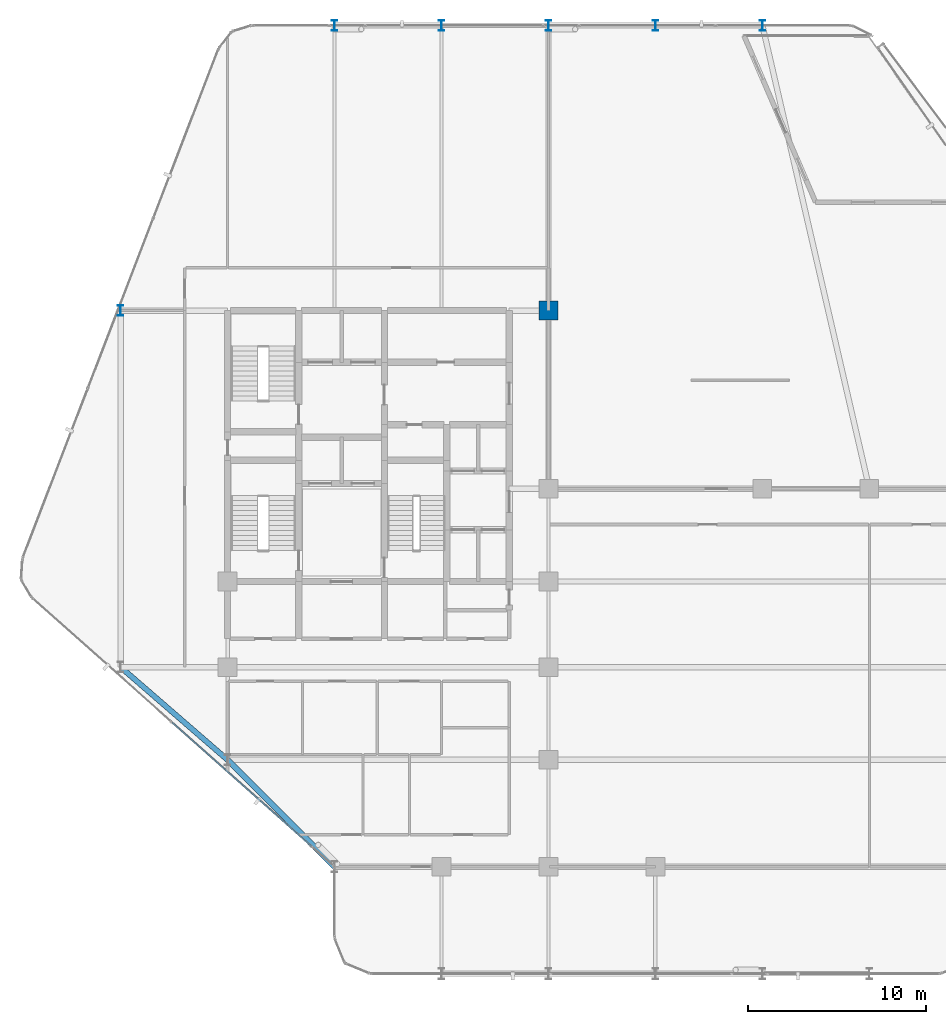
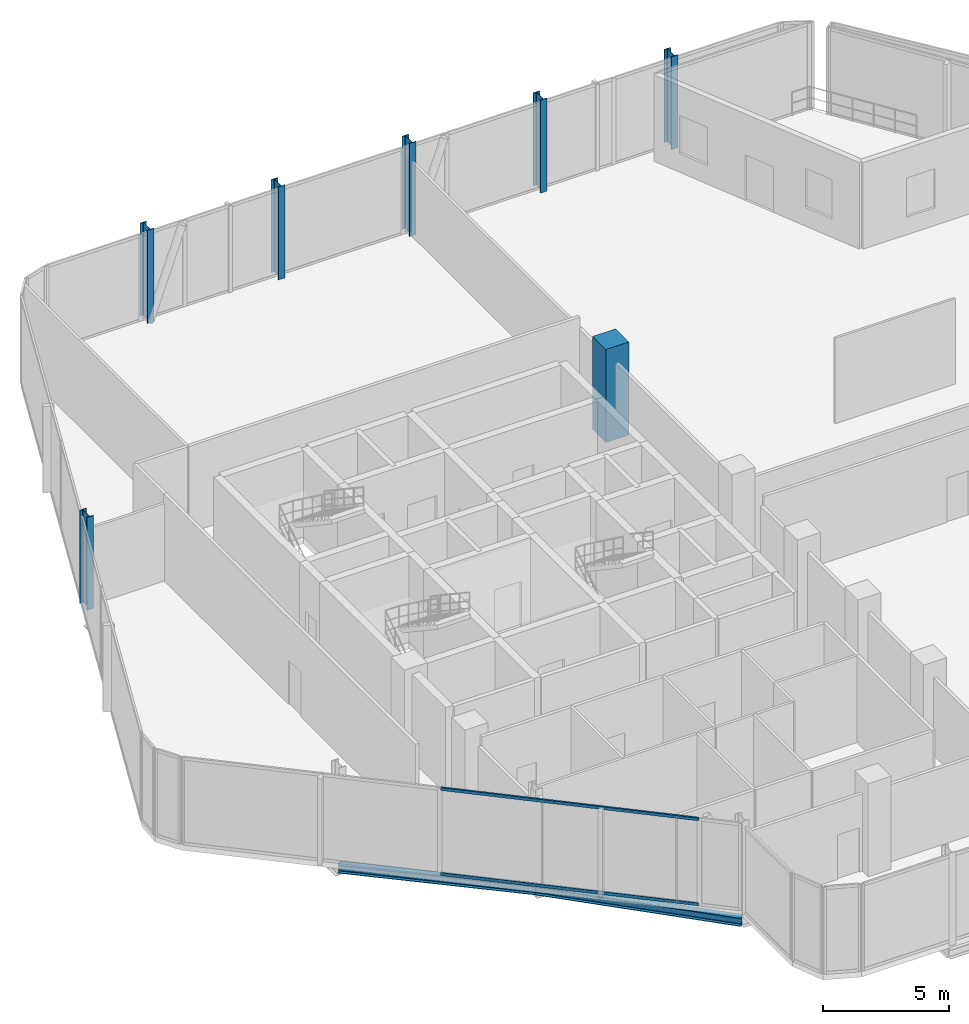
# One storey, part 2 of 31: 7 columns, 2 beams, 2 members, 1 element without a shape of its own.
"""IFC4 building model written with IfcOpenShell, lengths in metres."""

from ifc_helpers import new_model, si_unit, direction, frame, origin, origin_2d, place, context, subcontext, project, spatial, rectangle, hollow_rectangle, i_section, extrude, material, layer, layer_set, material_profile, profile_set, type_object, element, aggregate, save


model = new_model("IFC4")

# Units and contexts
model_context = context("Model", 3, precision=1e-05, world=origin(), true_north=direction((0.0, 1.0)))
body_context = subcontext(model_context, "Body", "Model", "MODEL_VIEW")
ifc_project = project(units=[si_unit("LENGTHUNIT", "METRE"), si_unit("AREAUNIT", "SQUARE_METRE"), si_unit("VOLUMEUNIT", "CUBIC_METRE"), si_unit("PLANEANGLEUNIT", "RADIAN"), si_unit("MASSUNIT", "GRAM", prefix="KILO")], contexts=[model_context])

# Site, building, storey
site_placement = place(None, origin())
site = spatial("IfcSite", under=ifc_project, at=site_placement, CompositionType="ELEMENT")
building_placement = place(site_placement, origin())
building = spatial("IfcBuilding", under=site, at=building_placement, Name="Keshet Zoharim Tower", CompositionType="ELEMENT")
storey_placement = place(building_placement, frame((0.0, 0.0, 125.300048828125)))
storey = spatial("IfcBuildingStorey", under=building, at=storey_placement, Name="L30", CompositionType="ELEMENT", Elevation=125.300048828125)

# Columns
ifc_material_1 = material(Name="Steel S355", Category="steel")
ifc_material_profile_1 = material_profile(ifc_material_1, i_section(OverallWidth=0.300048828125, OverallDepth=0.60009765625, WebThickness=0.015380859375, FlangeThickness=0.030029296875, FilletRadius=0.027099609375, at=origin_2d()), Name="HEB600")
ifc_profile_set_1 = profile_set([ifc_material_profile_1], Name="Steel S355")
column_type_1 = type_object("IfcColumnType", Name="COL-HEB600", PredefinedType="COLUMN", material=ifc_profile_set_1)
for number, where, z_axis, x_axis, name in (
    (1, (9.0, 37.89990234375, 0.0), (0.0, 0.0, 1.0), (1.0, 0.0, 0.0), "L30 Column 2H"),
    (2, (21.0, 53.89990234375, 0.0), (0.0, 0.0, 1.0), (1.0, 0.0, 0.0), "L30 Column 4L"),
    (3, (27.0, 53.89990234375, 0.0), (0.0, 0.0, 1.0), (1.0, 0.0, 0.0), "L30 Column 5L"),
    (4, (33.0, 53.89990234375, 0.0), (0.0, 0.0, 1.0), (1.0, 0.0, 0.0), "L30 Column 6L"),
    (5, (39.0, 53.89990234375, 0.0), (0.0, 0.0, 1.0), (1.0, 0.0, 0.0), "L30 Column 7L"),
    (6, (45.0, 53.89990234375, 0.0), (0.0, 0.0, 1.0), (1.0, 0.0, 0.0), "L30 Column 8L"),
):
    element("IfcColumn", number, at=place(storey_placement, frame(where, z_axis=z_axis, x_axis=x_axis)), inside=storey, type_object=column_type_1, Name=name, PredefinedType="COLUMN", context=body_context, shape_type="SweptSolid", body=[
        extrude(i_section(OverallWidth=0.300048828125, OverallDepth=0.60009765625, WebThickness=0.015380859375, FlangeThickness=0.030029296875, FilletRadius=0.027099609375, at=origin_2d()), origin(), (0.0, 0.0, 1.0), 4.5),
    ])
ifc_material_2 = material(Name="Concrete C60/75", Category="concrete")
ifc_material_profile_2 = material_profile(ifc_material_2, rectangle(XDim=1.050048828125, YDim=1.050048828125, at=origin_2d()), Name="RC1050x1050")
ifc_profile_set_2 = profile_set([ifc_material_profile_2], Name="Concrete C60/75")
column_type_2 = type_object("IfcColumnType", Name="COL-RC1050", PredefinedType="COLUMN", material=ifc_profile_set_2)
column_placement = place(storey_placement, frame((33.0, 37.89990234375, 0.0), z_axis=(0.0, 0.0, 1.0), x_axis=(1.0, 0.0, 0.0)))
element("IfcColumn", 7, at=column_placement, inside=storey, type_object=column_type_2, Name="L30 Column 6H", PredefinedType="COLUMN", context=body_context, shape_type="SweptSolid", body=[
    extrude(rectangle(XDim=1.050048828125, YDim=1.050048828125, at=origin_2d()), origin(), (0.0, 0.0, 1.0), 4.5),
])

# Beams
ifc_material_profile_3 = material_profile(ifc_material_1, i_section(OverallWidth=0.300048828125, OverallDepth=0.39990234375, WebThickness=0.013427734375, FlangeThickness=0.02392578125, FilletRadius=0.027099609375, at=origin_2d()), Name="HEB400")
ifc_profile_set_3 = profile_set([ifc_material_profile_3], Name="Steel S355")
beam_type = type_object("IfcBeamType", Name="BM-SPN-HB400", PredefinedType="SPANDREL", material=ifc_profile_set_3)
beam_1_placement = place(storey_placement, frame((21.0, 6.699951171875, -0.52001953125), z_axis=(-0.707106781187, 0.707106781187, 0.0), x_axis=(-0.707106781187, -0.707106781187, 0.0)))
element("IfcBeam", 8, at=beam_1_placement, inside=storey, type_object=beam_type, Name="L30 Perimeter Spandrel Beam 01", PredefinedType="SPANDREL", context=body_context, shape_type="SweptSolid", body=[
    extrude(i_section(OverallWidth=0.300048828125, OverallDepth=0.39990234375, WebThickness=0.013427734375, FlangeThickness=0.02392578125, FilletRadius=0.027099609375, at=origin_2d()), origin(), (0.0, 0.0, 1.0), 8.4853515625),
])
beam_2_placement = place(storey_placement, frame((9.0, 17.89990234375, -0.52001953125), z_axis=(0.755692126483, -0.654927026447, 0.0), x_axis=(0.654927026447, 0.755692126483, 0.0)))
element("IfcBeam", 9, at=beam_2_placement, inside=storey, type_object=beam_type, Name="L30 Perimeter Spandrel Beam 02", PredefinedType="SPANDREL", context=body_context, shape_type="SweptSolid", body=[
    extrude(i_section(OverallWidth=0.300048828125, OverallDepth=0.39990234375, WebThickness=0.013427734375, FlangeThickness=0.02392578125, FilletRadius=0.027099609375, at=origin_2d()), origin(), (0.0, 0.0, 1.0), 7.939697265625),
])

# Curtain wall, members
ifc_material_3 = material(Name="Aluminium 6063-T6", Category="aluminium")
ifc_layer = layer(ifc_material_3, 0.14990234375)
ifc_layer_set = layer_set([ifc_layer], Name="Aluminium 6063-T6")
curtain_wall_type = type_object("IfcCurtainWallType", Name="CW-SYS-04", PredefinedType="NOTDEFINED", material=ifc_layer_set)
curtain_wall_placement = place(storey_placement, origin())
curtain_wall = element("IfcCurtainWall", 10, at=curtain_wall_placement, inside=storey, type_object=curtain_wall_type, Name="L30 Unitised Curtain Wall 13 Part 2", PredefinedType="NOTDEFINED")
ifc_material_profile_4 = material_profile(ifc_material_3, hollow_rectangle(XDim=0.080078125, YDim=0.139892578125, WallThickness=0.00390625, at=origin_2d()), Name="TRN-80x140")
ifc_profile_set_4 = profile_set([ifc_material_profile_4], Name="Aluminium 6063-T6")
member_type = type_object("IfcMemberType", Name="CWT-T14", PredefinedType="USERDEFINED", material=ifc_profile_set_4)
member_1_placement = place(storey_placement, frame((19.69189453125, 7.86279296875, 0.034912109375), z_axis=(-0.747410609015, 0.664362387205, 0.0), x_axis=(-0.664362387205, -0.747410609015, 0.0)))
member_1 = element("IfcMember", 11, at=member_1_placement, type_object=member_type, Name="CW-04 transom 1.1", ObjectType="TRANSOM", PredefinedType="USERDEFINED", context=body_context, shape_type="SweptSolid", body=[
    extrude(hollow_rectangle(XDim=0.080078125, YDim=0.139892578125, WallThickness=0.00390625, at=origin_2d()), origin(), (0.0, 0.0, 1.0), 10.43896484375),
])
member_2_placement = place(storey_placement, frame((19.69189453125, 7.86279296875, 4.14990234375), z_axis=(-0.747410609015, 0.664362387205, 0.0), x_axis=(-0.664362387205, -0.747410609015, 0.0)))
member_2 = element("IfcMember", 12, at=member_2_placement, type_object=member_type, Name="CW-04 transom 1.2", ObjectType="TRANSOM", PredefinedType="USERDEFINED", context=body_context, shape_type="SweptSolid", body=[
    extrude(hollow_rectangle(XDim=0.080078125, YDim=0.139892578125, WallThickness=0.00390625, at=origin_2d()), origin(), (0.0, 0.0, 1.0), 10.43896484375),
])
aggregate(curtain_wall, [member_1, member_2])

save(model, "model.ifc")
